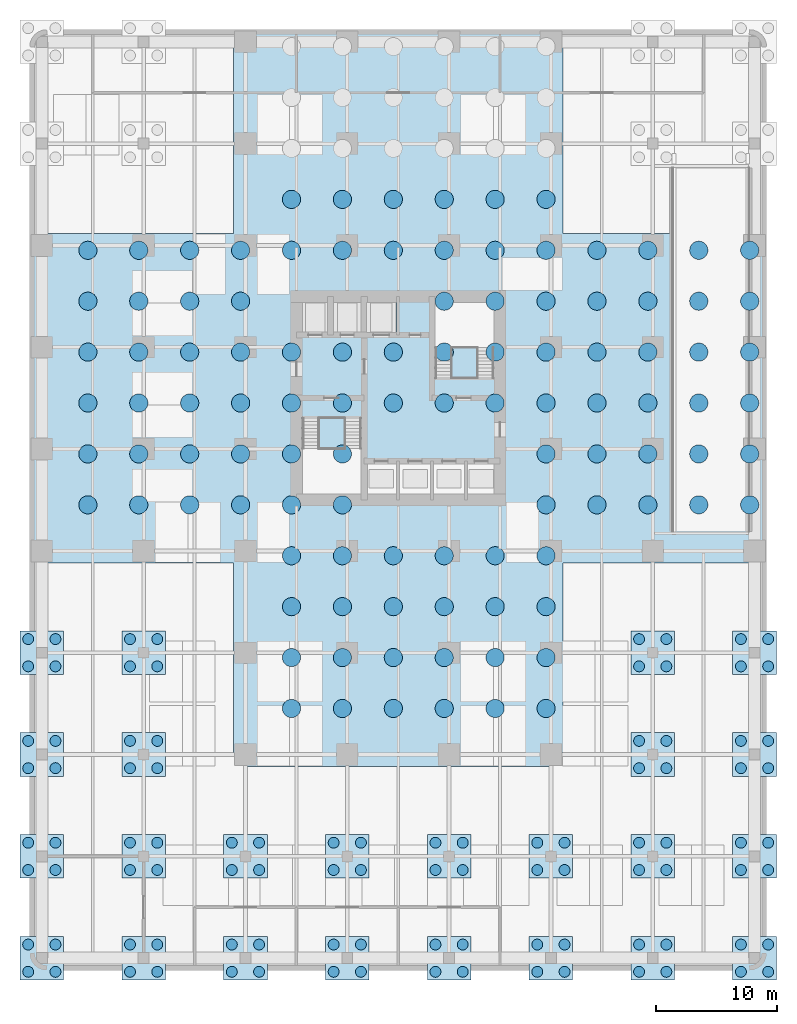
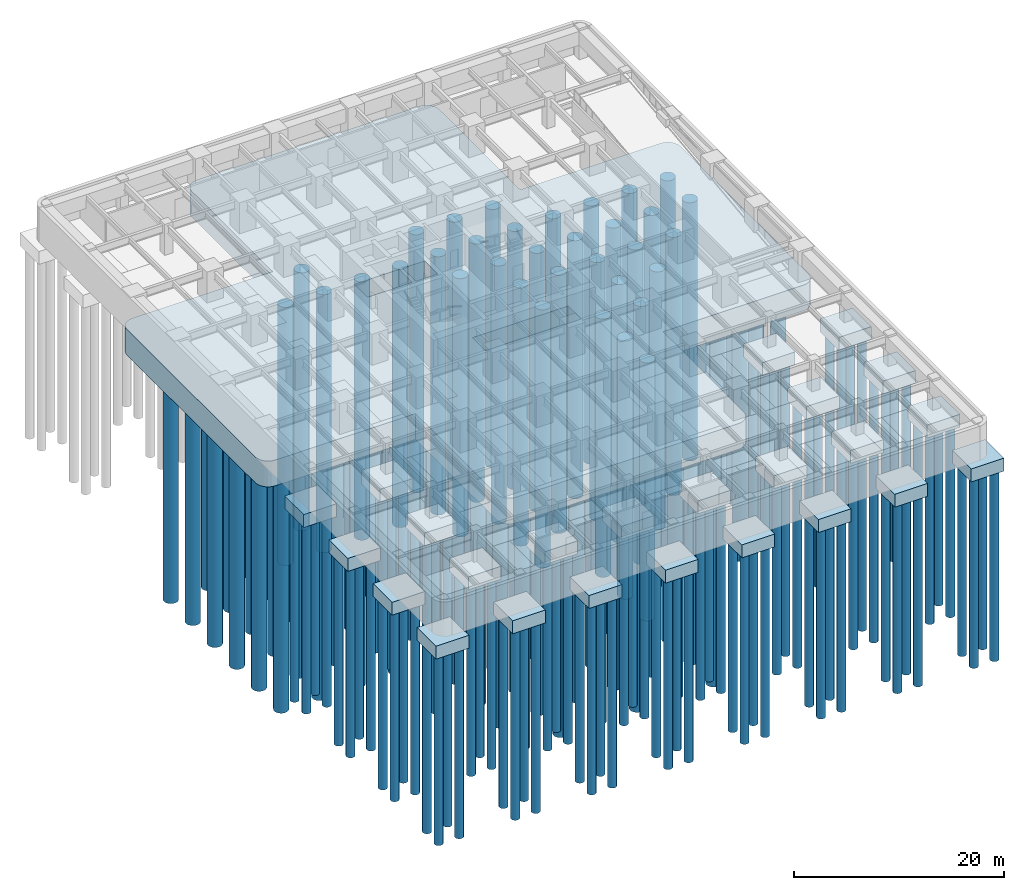
# One storey, part 1 of 11: 201 piles, 25 footings.
"""IFC4 building model written with IfcOpenShell, lengths in metres."""

from ifc_helpers import new_model, si_unit, direction, frame, origin, origin_2d, place, context, subcontext, project, spatial, polyline, rectangle, circle, outline, extrude, material, layer, layer_set, material_profile, profile_set, type_object, element, save


model = new_model("IFC4")

# Units and contexts
model_context = context("Model", 3, precision=1e-05, world=origin(), true_north=direction((0.0, 1.0)))
body_context = subcontext(model_context, "Body", "Model", "MODEL_VIEW")
ifc_project = project(units=[si_unit("LENGTHUNIT", "METRE"), si_unit("AREAUNIT", "SQUARE_METRE"), si_unit("VOLUMEUNIT", "CUBIC_METRE"), si_unit("PLANEANGLEUNIT", "RADIAN"), si_unit("MASSUNIT", "GRAM", prefix="KILO")], contexts=[model_context])

# Site, building, storey
site_placement = place(None, origin())
site = spatial("IfcSite", under=ifc_project, at=site_placement, CompositionType="ELEMENT")
building_placement = place(site_placement, origin())
building = spatial("IfcBuilding", under=site, at=building_placement, Name="Torre Alcanfor", CompositionType="ELEMENT")
storey_placement = place(building_placement, frame((0.0, 0.0, -7.199951171875)))
storey = spatial("IfcBuildingStorey", under=building, at=storey_placement, Name="B2", CompositionType="ELEMENT", Elevation=-7.199951171875)

# Piles
ifc_material_1 = material(Name="Concrete f'c 35 MPa", Category="concrete")
ifc_material_profile_1 = material_profile(ifc_material_1, circle(Radius=0.75, at=origin_2d()), Name="D1500")
ifc_profile_set_1 = profile_set([ifc_material_profile_1], Name="Concrete f'c 35 MPa")
pile_type_1 = type_object("IfcPileType", Name="Bored pile D1500", PredefinedType="BORED", material=ifc_profile_set_1)
for number, where, z_axis, x_axis, name in (
    (1, (20.60009765625, 3.800048828125, -3.400146484375), (0.0, 0.0, -1.0), (1.0, 0.0, 0.0), "Raft pile P1-001"),
    (2, (24.800048828125, 3.800048828125, -3.400146484375), (0.0, 0.0, -1.0), (1.0, 0.0, 0.0), "Raft pile P1-002"),
    (3, (29.0, 3.800048828125, -3.400146484375), (0.0, 0.0, -1.0), (1.0, 0.0, 0.0), "Raft pile P1-003"),
    (4, (33.199951171875, 3.800048828125, -3.400146484375), (0.0, 0.0, -1.0), (1.0, 0.0, 0.0), "Raft pile P1-004"),
    (5, (37.39990234375, 3.800048828125, -3.400146484375), (0.0, 0.0, -1.0), (1.0, 0.0, 0.0), "Raft pile P1-005"),
    (6, (41.60009765625, 3.800048828125, -3.400146484375), (0.0, 0.0, -1.0), (1.0, 0.0, 0.0), "Raft pile P1-006"),
    (7, (20.60009765625, 8.0, -3.400146484375), (0.0, 0.0, -1.0), (1.0, 0.0, 0.0), "Raft pile P1-007"),
    (8, (24.800048828125, 8.0, -3.400146484375), (0.0, 0.0, -1.0), (1.0, 0.0, 0.0), "Raft pile P1-008"),
    (9, (29.0, 8.0, -3.400146484375), (0.0, 0.0, -1.0), (1.0, 0.0, 0.0), "Raft pile P1-009"),
    (10, (33.199951171875, 8.0, -3.400146484375), (0.0, 0.0, -1.0), (1.0, 0.0, 0.0), "Raft pile P1-010"),
    (11, (37.39990234375, 8.0, -3.400146484375), (0.0, 0.0, -1.0), (1.0, 0.0, 0.0), "Raft pile P1-011"),
    (12, (41.60009765625, 8.0, -3.400146484375), (0.0, 0.0, -1.0), (1.0, 0.0, 0.0), "Raft pile P1-012"),
    (13, (20.60009765625, 12.199951171875, -3.400146484375), (0.0, 0.0, -1.0), (1.0, 0.0, 0.0), "Raft pile P1-013"),
    (14, (24.800048828125, 12.199951171875, -3.400146484375), (0.0, 0.0, -1.0), (1.0, 0.0, 0.0), "Raft pile P1-014"),
    (15, (29.0, 12.199951171875, -3.400146484375), (0.0, 0.0, -1.0), (1.0, 0.0, 0.0), "Raft pile P1-015"),
    (16, (33.199951171875, 12.199951171875, -3.400146484375), (0.0, 0.0, -1.0), (1.0, 0.0, 0.0), "Raft pile P1-016"),
    (17, (37.39990234375, 12.199951171875, -3.400146484375), (0.0, 0.0, -1.0), (1.0, 0.0, 0.0), "Raft pile P1-017"),
    (18, (41.60009765625, 12.199951171875, -3.400146484375), (0.0, 0.0, -1.0), (1.0, 0.0, 0.0), "Raft pile P1-018"),
    (19, (20.60009765625, 16.39990234375, -3.400146484375), (0.0, 0.0, -1.0), (1.0, 0.0, 0.0), "Raft pile P1-019"),
    (20, (24.800048828125, 16.39990234375, -3.400146484375), (0.0, 0.0, -1.0), (1.0, 0.0, 0.0), "Raft pile P1-020"),
    (21, (29.0, 16.39990234375, -3.400146484375), (0.0, 0.0, -1.0), (1.0, 0.0, 0.0), "Raft pile P1-021"),
    (22, (33.199951171875, 16.39990234375, -3.400146484375), (0.0, 0.0, -1.0), (1.0, 0.0, 0.0), "Raft pile P1-022"),
    (23, (37.39990234375, 16.39990234375, -3.400146484375), (0.0, 0.0, -1.0), (1.0, 0.0, 0.0), "Raft pile P1-023"),
    (24, (41.60009765625, 16.39990234375, -3.400146484375), (0.0, 0.0, -1.0), (1.0, 0.0, 0.0), "Raft pile P1-024"),
    (25, (3.800048828125, 20.60009765625, -3.400146484375), (0.0, 0.0, -1.0), (1.0, 0.0, 0.0), "Raft pile P1-025"),
    (26, (8.0, 20.60009765625, -3.400146484375), (0.0, 0.0, -1.0), (1.0, 0.0, 0.0), "Raft pile P1-026"),
    (27, (12.199951171875, 20.60009765625, -3.400146484375), (0.0, 0.0, -1.0), (1.0, 0.0, 0.0), "Raft pile P1-027"),
    (28, (16.39990234375, 20.60009765625, -3.400146484375), (0.0, 0.0, -1.0), (1.0, 0.0, 0.0), "Raft pile P1-028"),
    (29, (20.60009765625, 20.60009765625, -3.400146484375), (0.0, 0.0, -1.0), (1.0, 0.0, 0.0), "Raft pile P1-029"),
    (30, (24.800048828125, 20.60009765625, -3.400146484375), (0.0, 0.0, -1.0), (1.0, 0.0, 0.0), "Raft pile P1-030"),
    (31, (41.60009765625, 20.60009765625, -3.400146484375), (0.0, 0.0, -1.0), (1.0, 0.0, 0.0), "Raft pile P1-031"),
    (32, (45.800048828125, 20.60009765625, -3.400146484375), (0.0, 0.0, -1.0), (1.0, 0.0, 0.0), "Raft pile P1-032"),
    (33, (50.0, 20.60009765625, -3.400146484375), (0.0, 0.0, -1.0), (1.0, 0.0, 0.0), "Raft pile P1-033"),
    (34, (54.199951171875, 20.60009765625, -3.400146484375), (0.0, 0.0, -1.0), (1.0, 0.0, 0.0), "Raft pile P1-034"),
    (35, (58.39990234375, 20.60009765625, -3.400146484375), (0.0, 0.0, -1.0), (1.0, 0.0, 0.0), "Raft pile P1-035"),
    (36, (3.800048828125, 24.800048828125, -3.400146484375), (0.0, 0.0, -1.0), (1.0, 0.0, 0.0), "Raft pile P1-036"),
    (37, (8.0, 24.800048828125, -3.400146484375), (0.0, 0.0, -1.0), (1.0, 0.0, 0.0), "Raft pile P1-037"),
    (38, (12.199951171875, 24.800048828125, -3.400146484375), (0.0, 0.0, -1.0), (1.0, 0.0, 0.0), "Raft pile P1-038"),
    (39, (16.39990234375, 24.800048828125, -3.400146484375), (0.0, 0.0, -1.0), (1.0, 0.0, 0.0), "Raft pile P1-039"),
    (40, (20.60009765625, 24.800048828125, -3.400146484375), (0.0, 0.0, -1.0), (1.0, 0.0, 0.0), "Raft pile P1-040"),
    (41, (24.800048828125, 24.800048828125, -3.400146484375), (0.0, 0.0, -1.0), (1.0, 0.0, 0.0), "Raft pile P1-041"),
    (42, (41.60009765625, 24.800048828125, -3.400146484375), (0.0, 0.0, -1.0), (1.0, 0.0, 0.0), "Raft pile P1-042"),
    (43, (45.800048828125, 24.800048828125, -3.400146484375), (0.0, 0.0, -1.0), (1.0, 0.0, 0.0), "Raft pile P1-043"),
    (44, (50.0, 24.800048828125, -3.400146484375), (0.0, 0.0, -1.0), (1.0, 0.0, 0.0), "Raft pile P1-044"),
    (45, (54.199951171875, 24.800048828125, -3.400146484375), (0.0, 0.0, -1.0), (1.0, 0.0, 0.0), "Raft pile P1-045"),
    (46, (58.39990234375, 24.800048828125, -3.400146484375), (0.0, 0.0, -1.0), (1.0, 0.0, 0.0), "Raft pile P1-046"),
    (47, (3.800048828125, 29.0, -3.400146484375), (0.0, 0.0, -1.0), (1.0, 0.0, 0.0), "Raft pile P1-047"),
    (48, (8.0, 29.0, -3.400146484375), (0.0, 0.0, -1.0), (1.0, 0.0, 0.0), "Raft pile P1-048"),
    (49, (12.199951171875, 29.0, -3.400146484375), (0.0, 0.0, -1.0), (1.0, 0.0, 0.0), "Raft pile P1-049"),
    (50, (16.39990234375, 29.0, -3.400146484375), (0.0, 0.0, -1.0), (1.0, 0.0, 0.0), "Raft pile P1-050"),
    (51, (20.60009765625, 29.0, -3.400146484375), (0.0, 0.0, -1.0), (1.0, 0.0, 0.0), "Raft pile P1-051"),
    (52, (24.800048828125, 29.0, -3.400146484375), (0.0, 0.0, -1.0), (1.0, 0.0, 0.0), "Raft pile P1-052"),
    (53, (29.0, 29.0, -3.400146484375), (0.0, 0.0, -1.0), (1.0, 0.0, 0.0), "Raft pile P1-053"),
    (54, (33.199951171875, 29.0, -3.400146484375), (0.0, 0.0, -1.0), (1.0, 0.0, 0.0), "Raft pile P1-054"),
    (55, (37.39990234375, 29.0, -3.400146484375), (0.0, 0.0, -1.0), (1.0, 0.0, 0.0), "Raft pile P1-055"),
    (56, (41.60009765625, 29.0, -3.400146484375), (0.0, 0.0, -1.0), (1.0, 0.0, 0.0), "Raft pile P1-056"),
    (57, (45.800048828125, 29.0, -3.400146484375), (0.0, 0.0, -1.0), (1.0, 0.0, 0.0), "Raft pile P1-057"),
    (58, (50.0, 29.0, -3.400146484375), (0.0, 0.0, -1.0), (1.0, 0.0, 0.0), "Raft pile P1-058"),
    (59, (54.199951171875, 29.0, -3.400146484375), (0.0, 0.0, -1.0), (1.0, 0.0, 0.0), "Raft pile P1-059"),
    (60, (58.39990234375, 29.0, -3.400146484375), (0.0, 0.0, -1.0), (1.0, 0.0, 0.0), "Raft pile P1-060"),
    (61, (3.800048828125, 33.199951171875, -3.400146484375), (0.0, 0.0, -1.0), (1.0, 0.0, 0.0), "Raft pile P1-061"),
    (62, (8.0, 33.199951171875, -3.400146484375), (0.0, 0.0, -1.0), (1.0, 0.0, 0.0), "Raft pile P1-062"),
    (63, (12.199951171875, 33.199951171875, -3.400146484375), (0.0, 0.0, -1.0), (1.0, 0.0, 0.0), "Raft pile P1-063"),
    (64, (16.39990234375, 33.199951171875, -3.400146484375), (0.0, 0.0, -1.0), (1.0, 0.0, 0.0), "Raft pile P1-064"),
    (65, (20.60009765625, 33.199951171875, -3.400146484375), (0.0, 0.0, -1.0), (1.0, 0.0, 0.0), "Raft pile P1-065"),
    (66, (24.800048828125, 33.199951171875, -3.400146484375), (0.0, 0.0, -1.0), (1.0, 0.0, 0.0), "Raft pile P1-066"),
    (67, (29.0, 33.199951171875, -3.400146484375), (0.0, 0.0, -1.0), (1.0, 0.0, 0.0), "Raft pile P1-067"),
    (68, (33.199951171875, 33.199951171875, -3.400146484375), (0.0, 0.0, -1.0), (1.0, 0.0, 0.0), "Raft pile P1-068"),
    (69, (37.39990234375, 33.199951171875, -3.400146484375), (0.0, 0.0, -1.0), (1.0, 0.0, 0.0), "Raft pile P1-069"),
    (70, (41.60009765625, 33.199951171875, -3.400146484375), (0.0, 0.0, -1.0), (1.0, 0.0, 0.0), "Raft pile P1-070"),
    (71, (45.800048828125, 33.199951171875, -3.400146484375), (0.0, 0.0, -1.0), (1.0, 0.0, 0.0), "Raft pile P1-071"),
    (72, (50.0, 33.199951171875, -3.400146484375), (0.0, 0.0, -1.0), (1.0, 0.0, 0.0), "Raft pile P1-072"),
    (73, (54.199951171875, 33.199951171875, -3.400146484375), (0.0, 0.0, -1.0), (1.0, 0.0, 0.0), "Raft pile P1-073"),
    (74, (58.39990234375, 33.199951171875, -3.400146484375), (0.0, 0.0, -1.0), (1.0, 0.0, 0.0), "Raft pile P1-074"),
    (75, (3.800048828125, 37.39990234375, -3.400146484375), (0.0, 0.0, -1.0), (1.0, 0.0, 0.0), "Raft pile P1-075"),
    (76, (8.0, 37.39990234375, -3.400146484375), (0.0, 0.0, -1.0), (1.0, 0.0, 0.0), "Raft pile P1-076"),
    (77, (12.199951171875, 37.39990234375, -3.400146484375), (0.0, 0.0, -1.0), (1.0, 0.0, 0.0), "Raft pile P1-077"),
    (78, (16.39990234375, 37.39990234375, -3.400146484375), (0.0, 0.0, -1.0), (1.0, 0.0, 0.0), "Raft pile P1-078"),
    (79, (33.199951171875, 37.39990234375, -3.400146484375), (0.0, 0.0, -1.0), (1.0, 0.0, 0.0), "Raft pile P1-079"),
    (80, (37.39990234375, 37.39990234375, -3.400146484375), (0.0, 0.0, -1.0), (1.0, 0.0, 0.0), "Raft pile P1-080"),
    (81, (41.60009765625, 37.39990234375, -3.400146484375), (0.0, 0.0, -1.0), (1.0, 0.0, 0.0), "Raft pile P1-081"),
    (82, (45.800048828125, 37.39990234375, -3.400146484375), (0.0, 0.0, -1.0), (1.0, 0.0, 0.0), "Raft pile P1-082"),
    (83, (50.0, 37.39990234375, -3.400146484375), (0.0, 0.0, -1.0), (1.0, 0.0, 0.0), "Raft pile P1-083"),
    (84, (54.199951171875, 37.39990234375, -3.400146484375), (0.0, 0.0, -1.0), (1.0, 0.0, 0.0), "Raft pile P1-084"),
    (85, (58.39990234375, 37.39990234375, -3.400146484375), (0.0, 0.0, -1.0), (1.0, 0.0, 0.0), "Raft pile P1-085"),
    (86, (3.800048828125, 41.60009765625, -3.400146484375), (0.0, 0.0, -1.0), (1.0, 0.0, 0.0), "Raft pile P1-086"),
    (87, (8.0, 41.60009765625, -3.400146484375), (0.0, 0.0, -1.0), (1.0, 0.0, 0.0), "Raft pile P1-087"),
    (88, (12.199951171875, 41.60009765625, -3.400146484375), (0.0, 0.0, -1.0), (1.0, 0.0, 0.0), "Raft pile P1-088"),
    (89, (16.39990234375, 41.60009765625, -3.400146484375), (0.0, 0.0, -1.0), (1.0, 0.0, 0.0), "Raft pile P1-089"),
    (90, (20.60009765625, 41.60009765625, -3.400146484375), (0.0, 0.0, -1.0), (1.0, 0.0, 0.0), "Raft pile P1-090"),
    (91, (24.800048828125, 41.60009765625, -3.400146484375), (0.0, 0.0, -1.0), (1.0, 0.0, 0.0), "Raft pile P1-091"),
    (92, (29.0, 41.60009765625, -3.400146484375), (0.0, 0.0, -1.0), (1.0, 0.0, 0.0), "Raft pile P1-092"),
    (93, (33.199951171875, 41.60009765625, -3.400146484375), (0.0, 0.0, -1.0), (1.0, 0.0, 0.0), "Raft pile P1-093"),
    (94, (37.39990234375, 41.60009765625, -3.400146484375), (0.0, 0.0, -1.0), (1.0, 0.0, 0.0), "Raft pile P1-094"),
    (95, (41.60009765625, 41.60009765625, -3.400146484375), (0.0, 0.0, -1.0), (1.0, 0.0, 0.0), "Raft pile P1-095"),
    (96, (45.800048828125, 41.60009765625, -3.400146484375), (0.0, 0.0, -1.0), (1.0, 0.0, 0.0), "Raft pile P1-096"),
    (97, (50.0, 41.60009765625, -3.400146484375), (0.0, 0.0, -1.0), (1.0, 0.0, 0.0), "Raft pile P1-097"),
    (98, (54.199951171875, 41.60009765625, -3.400146484375), (0.0, 0.0, -1.0), (1.0, 0.0, 0.0), "Raft pile P1-098"),
    (99, (58.39990234375, 41.60009765625, -3.400146484375), (0.0, 0.0, -1.0), (1.0, 0.0, 0.0), "Raft pile P1-099"),
    (100, (20.60009765625, 45.800048828125, -3.400146484375), (0.0, 0.0, -1.0), (1.0, 0.0, 0.0), "Raft pile P1-100"),
    (101, (24.800048828125, 45.800048828125, -3.400146484375), (0.0, 0.0, -1.0), (1.0, 0.0, 0.0), "Raft pile P1-101"),
    (102, (29.0, 45.800048828125, -3.400146484375), (0.0, 0.0, -1.0), (1.0, 0.0, 0.0), "Raft pile P1-102"),
    (103, (33.199951171875, 45.800048828125, -3.400146484375), (0.0, 0.0, -1.0), (1.0, 0.0, 0.0), "Raft pile P1-103"),
    (104, (37.39990234375, 45.800048828125, -3.400146484375), (0.0, 0.0, -1.0), (1.0, 0.0, 0.0), "Raft pile P1-104"),
    (105, (41.60009765625, 45.800048828125, -3.400146484375), (0.0, 0.0, -1.0), (1.0, 0.0, 0.0), "Raft pile P1-105"),
):
    element("IfcPile", number, at=place(storey_placement, frame(where, z_axis=z_axis, x_axis=x_axis)), inside=storey, type_object=pile_type_1, Name=name, PredefinedType="BORED", context=body_context, shape_type="SweptSolid", body=[
        extrude(circle(Radius=0.75, at=origin_2d()), origin(), (0.0, 0.0, 1.0), 30.0),
    ])
ifc_material_2 = material(Name="Concrete f'c 35 MPa", Category="concrete")
ifc_material_profile_2 = material_profile(ifc_material_2, circle(Radius=0.449951171875, at=origin_2d()), Name="D900")
ifc_profile_set_2 = profile_set([ifc_material_profile_2], Name="Concrete f'c 35 MPa")
pile_type_2 = type_object("IfcPileType", Name="Bored pile D900", PredefinedType="BORED", material=ifc_profile_set_2)
for number, where, z_axis, x_axis, name in (
    (106, (-1.125, -17.925048828125, -1.900146484375), (0.0, 0.0, -1.0), (1.0, 0.0, 0.0), "Pile P2 under cap 1/A"),
    (107, (1.125, -17.925048828125, -1.900146484375), (0.0, 0.0, -1.0), (1.0, 0.0, 0.0), "Pile P2 under cap 1/A"),
    (108, (1.125, -15.675048828125, -1.900146484375), (0.0, 0.0, -1.0), (1.0, 0.0, 0.0), "Pile P2 under cap 1/A"),
    (109, (-1.125, -15.675048828125, -1.900146484375), (0.0, 0.0, -1.0), (1.0, 0.0, 0.0), "Pile P2 under cap 1/A"),
    (110, (-1.125, -9.52490234375, -1.900146484375), (0.0, 0.0, -1.0), (1.0, 0.0, 0.0), "Pile P2 under cap 1/B"),
    (111, (1.125, -9.52490234375, -1.900146484375), (0.0, 0.0, -1.0), (1.0, 0.0, 0.0), "Pile P2 under cap 1/B"),
    (112, (1.125, -7.27490234375, -1.900146484375), (0.0, 0.0, -1.0), (1.0, 0.0, 0.0), "Pile P2 under cap 1/B"),
    (113, (-1.125, -7.27490234375, -1.900146484375), (0.0, 0.0, -1.0), (1.0, 0.0, 0.0), "Pile P2 under cap 1/B"),
    (114, (-1.125, -1.125, -1.900146484375), (0.0, 0.0, -1.0), (1.0, 0.0, 0.0), "Pile P2 under cap 1/C"),
    (115, (1.125, -1.125, -1.900146484375), (0.0, 0.0, -1.0), (1.0, 0.0, 0.0), "Pile P2 under cap 1/C"),
    (116, (1.125, 1.125, -1.900146484375), (0.0, 0.0, -1.0), (1.0, 0.0, 0.0), "Pile P2 under cap 1/C"),
    (117, (-1.125, 1.125, -1.900146484375), (0.0, 0.0, -1.0), (1.0, 0.0, 0.0), "Pile P2 under cap 1/C"),
    (118, (-1.125, 7.27490234375, -1.900146484375), (0.0, 0.0, -1.0), (1.0, 0.0, 0.0), "Pile P2 under cap 1/D"),
    (119, (1.125, 7.27490234375, -1.900146484375), (0.0, 0.0, -1.0), (1.0, 0.0, 0.0), "Pile P2 under cap 1/D"),
    (120, (1.125, 9.52490234375, -1.900146484375), (0.0, 0.0, -1.0), (1.0, 0.0, 0.0), "Pile P2 under cap 1/D"),
    (121, (-1.125, 9.52490234375, -1.900146484375), (0.0, 0.0, -1.0), (1.0, 0.0, 0.0), "Pile P2 under cap 1/D"),
    (122, (7.27490234375, -17.925048828125, -1.900146484375), (0.0, 0.0, -1.0), (1.0, 0.0, 0.0), "Pile P2 under cap 2/A"),
    (123, (9.52490234375, -17.925048828125, -1.900146484375), (0.0, 0.0, -1.0), (1.0, 0.0, 0.0), "Pile P2 under cap 2/A"),
    (124, (9.52490234375, -15.675048828125, -1.900146484375), (0.0, 0.0, -1.0), (1.0, 0.0, 0.0), "Pile P2 under cap 2/A"),
    (125, (7.27490234375, -15.675048828125, -1.900146484375), (0.0, 0.0, -1.0), (1.0, 0.0, 0.0), "Pile P2 under cap 2/A"),
    (126, (7.27490234375, -9.52490234375, -1.900146484375), (0.0, 0.0, -1.0), (1.0, 0.0, 0.0), "Pile P2 under cap 2/B"),
    (127, (9.52490234375, -9.52490234375, -1.900146484375), (0.0, 0.0, -1.0), (1.0, 0.0, 0.0), "Pile P2 under cap 2/B"),
    (128, (9.52490234375, -7.27490234375, -1.900146484375), (0.0, 0.0, -1.0), (1.0, 0.0, 0.0), "Pile P2 under cap 2/B"),
    (129, (7.27490234375, -7.27490234375, -1.900146484375), (0.0, 0.0, -1.0), (1.0, 0.0, 0.0), "Pile P2 under cap 2/B"),
    (130, (7.27490234375, -1.125, -1.900146484375), (0.0, 0.0, -1.0), (1.0, 0.0, 0.0), "Pile P2 under cap 2/C"),
    (131, (9.52490234375, -1.125, -1.900146484375), (0.0, 0.0, -1.0), (1.0, 0.0, 0.0), "Pile P2 under cap 2/C"),
    (132, (9.52490234375, 1.125, -1.900146484375), (0.0, 0.0, -1.0), (1.0, 0.0, 0.0), "Pile P2 under cap 2/C"),
    (133, (7.27490234375, 1.125, -1.900146484375), (0.0, 0.0, -1.0), (1.0, 0.0, 0.0), "Pile P2 under cap 2/C"),
    (134, (7.27490234375, 7.27490234375, -1.900146484375), (0.0, 0.0, -1.0), (1.0, 0.0, 0.0), "Pile P2 under cap 2/D"),
    (135, (9.52490234375, 7.27490234375, -1.900146484375), (0.0, 0.0, -1.0), (1.0, 0.0, 0.0), "Pile P2 under cap 2/D"),
    (136, (9.52490234375, 9.52490234375, -1.900146484375), (0.0, 0.0, -1.0), (1.0, 0.0, 0.0), "Pile P2 under cap 2/D"),
    (137, (7.27490234375, 9.52490234375, -1.900146484375), (0.0, 0.0, -1.0), (1.0, 0.0, 0.0), "Pile P2 under cap 2/D"),
    (138, (15.675048828125, -17.925048828125, -1.900146484375), (0.0, 0.0, -1.0), (1.0, 0.0, 0.0), "Pile P2 under cap 3/A"),
    (139, (17.925048828125, -17.925048828125, -1.900146484375), (0.0, 0.0, -1.0), (1.0, 0.0, 0.0), "Pile P2 under cap 3/A"),
    (140, (17.925048828125, -15.675048828125, -1.900146484375), (0.0, 0.0, -1.0), (1.0, 0.0, 0.0), "Pile P2 under cap 3/A"),
    (141, (15.675048828125, -15.675048828125, -1.900146484375), (0.0, 0.0, -1.0), (1.0, 0.0, 0.0), "Pile P2 under cap 3/A"),
    (142, (15.675048828125, -9.52490234375, -1.900146484375), (0.0, 0.0, -1.0), (1.0, 0.0, 0.0), "Pile P2 under cap 3/B"),
    (143, (17.925048828125, -9.52490234375, -1.900146484375), (0.0, 0.0, -1.0), (1.0, 0.0, 0.0), "Pile P2 under cap 3/B"),
    (144, (17.925048828125, -7.27490234375, -1.900146484375), (0.0, 0.0, -1.0), (1.0, 0.0, 0.0), "Pile P2 under cap 3/B"),
    (145, (15.675048828125, -7.27490234375, -1.900146484375), (0.0, 0.0, -1.0), (1.0, 0.0, 0.0), "Pile P2 under cap 3/B"),
    (146, (24.074951171875, -17.925048828125, -1.900146484375), (0.0, 0.0, -1.0), (1.0, 0.0, 0.0), "Pile P2 under cap 4/A"),
    (147, (26.324951171875, -17.925048828125, -1.900146484375), (0.0, 0.0, -1.0), (1.0, 0.0, 0.0), "Pile P2 under cap 4/A"),
    (148, (26.324951171875, -15.675048828125, -1.900146484375), (0.0, 0.0, -1.0), (1.0, 0.0, 0.0), "Pile P2 under cap 4/A"),
    (149, (24.074951171875, -15.675048828125, -1.900146484375), (0.0, 0.0, -1.0), (1.0, 0.0, 0.0), "Pile P2 under cap 4/A"),
    (150, (24.074951171875, -9.52490234375, -1.900146484375), (0.0, 0.0, -1.0), (1.0, 0.0, 0.0), "Pile P2 under cap 4/B"),
    (151, (26.324951171875, -9.52490234375, -1.900146484375), (0.0, 0.0, -1.0), (1.0, 0.0, 0.0), "Pile P2 under cap 4/B"),
    (152, (26.324951171875, -7.27490234375, -1.900146484375), (0.0, 0.0, -1.0), (1.0, 0.0, 0.0), "Pile P2 under cap 4/B"),
    (153, (24.074951171875, -7.27490234375, -1.900146484375), (0.0, 0.0, -1.0), (1.0, 0.0, 0.0), "Pile P2 under cap 4/B"),
    (154, (32.47509765625, -17.925048828125, -1.900146484375), (0.0, 0.0, -1.0), (1.0, 0.0, 0.0), "Pile P2 under cap 5/A"),
    (155, (34.72509765625, -17.925048828125, -1.900146484375), (0.0, 0.0, -1.0), (1.0, 0.0, 0.0), "Pile P2 under cap 5/A"),
    (156, (34.72509765625, -15.675048828125, -1.900146484375), (0.0, 0.0, -1.0), (1.0, 0.0, 0.0), "Pile P2 under cap 5/A"),
    (157, (32.47509765625, -15.675048828125, -1.900146484375), (0.0, 0.0, -1.0), (1.0, 0.0, 0.0), "Pile P2 under cap 5/A"),
    (158, (32.47509765625, -9.52490234375, -1.900146484375), (0.0, 0.0, -1.0), (1.0, 0.0, 0.0), "Pile P2 under cap 5/B"),
    (159, (34.72509765625, -9.52490234375, -1.900146484375), (0.0, 0.0, -1.0), (1.0, 0.0, 0.0), "Pile P2 under cap 5/B"),
    (160, (34.72509765625, -7.27490234375, -1.900146484375), (0.0, 0.0, -1.0), (1.0, 0.0, 0.0), "Pile P2 under cap 5/B"),
    (161, (32.47509765625, -7.27490234375, -1.900146484375), (0.0, 0.0, -1.0), (1.0, 0.0, 0.0), "Pile P2 under cap 5/B"),
    (162, (40.875, -17.925048828125, -1.900146484375), (0.0, 0.0, -1.0), (1.0, 0.0, 0.0), "Pile P2 under cap 6/A"),
    (163, (43.125, -17.925048828125, -1.900146484375), (0.0, 0.0, -1.0), (1.0, 0.0, 0.0), "Pile P2 under cap 6/A"),
    (164, (43.125, -15.675048828125, -1.900146484375), (0.0, 0.0, -1.0), (1.0, 0.0, 0.0), "Pile P2 under cap 6/A"),
    (165, (40.875, -15.675048828125, -1.900146484375), (0.0, 0.0, -1.0), (1.0, 0.0, 0.0), "Pile P2 under cap 6/A"),
    (166, (40.875, -9.52490234375, -1.900146484375), (0.0, 0.0, -1.0), (1.0, 0.0, 0.0), "Pile P2 under cap 6/B"),
    (167, (43.125, -9.52490234375, -1.900146484375), (0.0, 0.0, -1.0), (1.0, 0.0, 0.0), "Pile P2 under cap 6/B"),
    (168, (43.125, -7.27490234375, -1.900146484375), (0.0, 0.0, -1.0), (1.0, 0.0, 0.0), "Pile P2 under cap 6/B"),
    (169, (40.875, -7.27490234375, -1.900146484375), (0.0, 0.0, -1.0), (1.0, 0.0, 0.0), "Pile P2 under cap 6/B"),
    (170, (49.27490234375, -17.925048828125, -1.900146484375), (0.0, 0.0, -1.0), (1.0, 0.0, 0.0), "Pile P2 under cap 7/A"),
    (171, (51.52490234375, -17.925048828125, -1.900146484375), (0.0, 0.0, -1.0), (1.0, 0.0, 0.0), "Pile P2 under cap 7/A"),
    (172, (51.52490234375, -15.675048828125, -1.900146484375), (0.0, 0.0, -1.0), (1.0, 0.0, 0.0), "Pile P2 under cap 7/A"),
    (173, (49.27490234375, -15.675048828125, -1.900146484375), (0.0, 0.0, -1.0), (1.0, 0.0, 0.0), "Pile P2 under cap 7/A"),
    (174, (49.27490234375, -9.52490234375, -1.900146484375), (0.0, 0.0, -1.0), (1.0, 0.0, 0.0), "Pile P2 under cap 7/B"),
    (175, (51.52490234375, -9.52490234375, -1.900146484375), (0.0, 0.0, -1.0), (1.0, 0.0, 0.0), "Pile P2 under cap 7/B"),
    (176, (51.52490234375, -7.27490234375, -1.900146484375), (0.0, 0.0, -1.0), (1.0, 0.0, 0.0), "Pile P2 under cap 7/B"),
    (177, (49.27490234375, -7.27490234375, -1.900146484375), (0.0, 0.0, -1.0), (1.0, 0.0, 0.0), "Pile P2 under cap 7/B"),
    (178, (49.27490234375, -1.125, -1.900146484375), (0.0, 0.0, -1.0), (1.0, 0.0, 0.0), "Pile P2 under cap 7/C"),
    (179, (51.52490234375, -1.125, -1.900146484375), (0.0, 0.0, -1.0), (1.0, 0.0, 0.0), "Pile P2 under cap 7/C"),
    (180, (51.52490234375, 1.125, -1.900146484375), (0.0, 0.0, -1.0), (1.0, 0.0, 0.0), "Pile P2 under cap 7/C"),
    (181, (49.27490234375, 1.125, -1.900146484375), (0.0, 0.0, -1.0), (1.0, 0.0, 0.0), "Pile P2 under cap 7/C"),
    (182, (49.27490234375, 7.27490234375, -1.900146484375), (0.0, 0.0, -1.0), (1.0, 0.0, 0.0), "Pile P2 under cap 7/D"),
    (183, (51.52490234375, 7.27490234375, -1.900146484375), (0.0, 0.0, -1.0), (1.0, 0.0, 0.0), "Pile P2 under cap 7/D"),
    (184, (51.52490234375, 9.52490234375, -1.900146484375), (0.0, 0.0, -1.0), (1.0, 0.0, 0.0), "Pile P2 under cap 7/D"),
    (185, (49.27490234375, 9.52490234375, -1.900146484375), (0.0, 0.0, -1.0), (1.0, 0.0, 0.0), "Pile P2 under cap 7/D"),
    (186, (57.675048828125, -17.925048828125, -1.900146484375), (0.0, 0.0, -1.0), (1.0, 0.0, 0.0), "Pile P2 under cap 8/A"),
    (187, (59.925048828125, -17.925048828125, -1.900146484375), (0.0, 0.0, -1.0), (1.0, 0.0, 0.0), "Pile P2 under cap 8/A"),
    (188, (59.925048828125, -15.675048828125, -1.900146484375), (0.0, 0.0, -1.0), (1.0, 0.0, 0.0), "Pile P2 under cap 8/A"),
    (189, (57.675048828125, -15.675048828125, -1.900146484375), (0.0, 0.0, -1.0), (1.0, 0.0, 0.0), "Pile P2 under cap 8/A"),
    (190, (57.675048828125, -9.52490234375, -1.900146484375), (0.0, 0.0, -1.0), (1.0, 0.0, 0.0), "Pile P2 under cap 8/B"),
    (191, (59.925048828125, -9.52490234375, -1.900146484375), (0.0, 0.0, -1.0), (1.0, 0.0, 0.0), "Pile P2 under cap 8/B"),
    (192, (59.925048828125, -7.27490234375, -1.900146484375), (0.0, 0.0, -1.0), (1.0, 0.0, 0.0), "Pile P2 under cap 8/B"),
    (193, (57.675048828125, -7.27490234375, -1.900146484375), (0.0, 0.0, -1.0), (1.0, 0.0, 0.0), "Pile P2 under cap 8/B"),
    (194, (57.675048828125, -1.125, -1.900146484375), (0.0, 0.0, -1.0), (1.0, 0.0, 0.0), "Pile P2 under cap 8/C"),
    (195, (59.925048828125, -1.125, -1.900146484375), (0.0, 0.0, -1.0), (1.0, 0.0, 0.0), "Pile P2 under cap 8/C"),
    (196, (59.925048828125, 1.125, -1.900146484375), (0.0, 0.0, -1.0), (1.0, 0.0, 0.0), "Pile P2 under cap 8/C"),
    (197, (57.675048828125, 1.125, -1.900146484375), (0.0, 0.0, -1.0), (1.0, 0.0, 0.0), "Pile P2 under cap 8/C"),
    (198, (57.675048828125, 7.27490234375, -1.900146484375), (0.0, 0.0, -1.0), (1.0, 0.0, 0.0), "Pile P2 under cap 8/D"),
    (199, (59.925048828125, 7.27490234375, -1.900146484375), (0.0, 0.0, -1.0), (1.0, 0.0, 0.0), "Pile P2 under cap 8/D"),
    (200, (59.925048828125, 9.52490234375, -1.900146484375), (0.0, 0.0, -1.0), (1.0, 0.0, 0.0), "Pile P2 under cap 8/D"),
    (201, (57.675048828125, 9.52490234375, -1.900146484375), (0.0, 0.0, -1.0), (1.0, 0.0, 0.0), "Pile P2 under cap 8/D"),
):
    element("IfcPile", number, at=place(storey_placement, frame(where, z_axis=z_axis, x_axis=x_axis)), inside=storey, type_object=pile_type_2, Name=name, PredefinedType="BORED", context=body_context, shape_type="SweptSolid", body=[
        extrude(circle(Radius=0.449951171875, at=origin_2d()), origin(), (0.0, 0.0, 1.0), 22.0),
    ])

# Footings
ifc_material_3 = material(Name="Concrete f'c 40 MPa", Category="concrete")
ifc_layer_1 = layer(ifc_material_3, 1.5)
ifc_layer_set_1 = layer_set([ifc_layer_1], Name="Pile cap 3600x3600x1500")
footing_type_1 = type_object("IfcFootingType", Name="Pile cap 3600x3600x1500", PredefinedType="PILE_CAP", material=ifc_layer_set_1)
for number, where, z_axis, x_axis, name in (
    (202, (0.0, -16.800048828125, -1.900146484375), (0.0, 0.0, 1.0), (1.0, 0.0, 0.0), "Pile cap PC1 at 1/A"),
    (203, (0.0, -8.39990234375, -1.900146484375), (0.0, 0.0, 1.0), (1.0, 0.0, 0.0), "Pile cap PC1 at 1/B"),
    (204, (0.0, 0.0, -1.900146484375), (0.0, 0.0, 1.0), (1.0, 0.0, 0.0), "Pile cap PC1 at 1/C"),
    (205, (0.0, 8.39990234375, -1.900146484375), (0.0, 0.0, 1.0), (1.0, 0.0, 0.0), "Pile cap PC1 at 1/D"),
    (206, (8.39990234375, -16.800048828125, -1.900146484375), (0.0, 0.0, 1.0), (1.0, 0.0, 0.0), "Pile cap PC1 at 2/A"),
    (207, (8.39990234375, -8.39990234375, -1.900146484375), (0.0, 0.0, 1.0), (1.0, 0.0, 0.0), "Pile cap PC1 at 2/B"),
    (208, (8.39990234375, 0.0, -1.900146484375), (0.0, 0.0, 1.0), (1.0, 0.0, 0.0), "Pile cap PC1 at 2/C"),
    (209, (8.39990234375, 8.39990234375, -1.900146484375), (0.0, 0.0, 1.0), (1.0, 0.0, 0.0), "Pile cap PC1 at 2/D"),
    (210, (16.800048828125, -16.800048828125, -1.900146484375), (0.0, 0.0, 1.0), (1.0, 0.0, 0.0), "Pile cap PC1 at 3/A"),
    (211, (16.800048828125, -8.39990234375, -1.900146484375), (0.0, 0.0, 1.0), (1.0, 0.0, 0.0), "Pile cap PC1 at 3/B"),
    (212, (25.199951171875, -16.800048828125, -1.900146484375), (0.0, 0.0, 1.0), (1.0, 0.0, 0.0), "Pile cap PC1 at 4/A"),
    (213, (25.199951171875, -8.39990234375, -1.900146484375), (0.0, 0.0, 1.0), (1.0, 0.0, 0.0), "Pile cap PC1 at 4/B"),
    (214, (33.60009765625, -16.800048828125, -1.900146484375), (0.0, 0.0, 1.0), (1.0, 0.0, 0.0), "Pile cap PC1 at 5/A"),
    (215, (33.60009765625, -8.39990234375, -1.900146484375), (0.0, 0.0, 1.0), (1.0, 0.0, 0.0), "Pile cap PC1 at 5/B"),
    (216, (42.0, -16.800048828125, -1.900146484375), (0.0, 0.0, 1.0), (1.0, 0.0, 0.0), "Pile cap PC1 at 6/A"),
    (217, (42.0, -8.39990234375, -1.900146484375), (0.0, 0.0, 1.0), (1.0, 0.0, 0.0), "Pile cap PC1 at 6/B"),
    (218, (50.39990234375, -16.800048828125, -1.900146484375), (0.0, 0.0, 1.0), (1.0, 0.0, 0.0), "Pile cap PC1 at 7/A"),
    (219, (50.39990234375, -8.39990234375, -1.900146484375), (0.0, 0.0, 1.0), (1.0, 0.0, 0.0), "Pile cap PC1 at 7/B"),
    (220, (50.39990234375, 0.0, -1.900146484375), (0.0, 0.0, 1.0), (1.0, 0.0, 0.0), "Pile cap PC1 at 7/C"),
    (221, (50.39990234375, 8.39990234375, -1.900146484375), (0.0, 0.0, 1.0), (1.0, 0.0, 0.0), "Pile cap PC1 at 7/D"),
    (222, (58.800048828125, -16.800048828125, -1.900146484375), (0.0, 0.0, 1.0), (1.0, 0.0, 0.0), "Pile cap PC1 at 8/A"),
    (223, (58.800048828125, -8.39990234375, -1.900146484375), (0.0, 0.0, 1.0), (1.0, 0.0, 0.0), "Pile cap PC1 at 8/B"),
    (224, (58.800048828125, 0.0, -1.900146484375), (0.0, 0.0, 1.0), (1.0, 0.0, 0.0), "Pile cap PC1 at 8/C"),
    (225, (58.800048828125, 8.39990234375, -1.900146484375), (0.0, 0.0, 1.0), (1.0, 0.0, 0.0), "Pile cap PC1 at 8/D"),
):
    element("IfcFooting", number, at=place(storey_placement, frame(where, z_axis=z_axis, x_axis=x_axis)), inside=storey, type_object=footing_type_1, Name=name, PredefinedType="PILE_CAP", context=body_context, shape_type="SweptSolid", body=[
        extrude(rectangle(XDim=3.60009765625, YDim=3.60009765625, at=origin_2d()), origin(), (0.0, 0.0, 1.0), 1.5),
    ])
ifc_material_4 = material(Name="Concrete f'c 45 MPa", Category="concrete")
ifc_layer_2 = layer(ifc_material_4, 3.0)
ifc_layer_set_2 = layer_set([ifc_layer_2], Name="Piled raft 3000")
footing_type_2 = type_object("IfcFootingType", Name="Piled raft 3000", PredefinedType="PILE_CAP", material=ifc_layer_set_2)
footing_placement = place(storey_placement, frame((0.0, 0.0, -3.400146484375)))
element("IfcFooting", 226, at=footing_placement, inside=storey, type_object=footing_type_2, Name="Tower piled raft PR1", PredefinedType="PILE_CAP", context=body_context, shape_type="SweptSolid", body=[
    extrude(outline(polyline([(15.800048828125, 43.0), (0.39990234375, 43.0), (0.03759765625, 42.952392578125), (-0.300048828125, 42.8125), (-0.58984375, 42.58984375), (-0.8125, 42.300048828125), (-0.952392578125, 41.96240234375), (-1.0, 41.60009765625), (-1.0, 17.199951171875), (-0.952392578125, 16.837646484375), (-0.8125, 16.5), (-0.58984375, 16.210205078125), (-0.300048828125, 15.987548828125), (0.03759765625, 15.84765625), (0.39990234375, 15.800048828125), (15.800048828125, 15.800048828125), (15.800048828125, 0.39990234375), (15.84765625, 0.03759765625), (15.987548828125, -0.300048828125), (16.210205078125, -0.58984375), (16.5, -0.8125), (16.837646484375, -0.952392578125), (17.199951171875, -1.0), (41.60009765625, -1.0), (41.96240234375, -0.952392578125), (42.300048828125, -0.8125), (42.58984375, -0.58984375), (42.8125, -0.300048828125), (42.952392578125, 0.03759765625), (43.0, 0.39990234375), (43.0, 15.800048828125), (58.39990234375, 15.800048828125), (58.76220703125, 15.84765625), (59.10009765625, 15.987548828125), (59.389892578125, 16.210205078125), (59.6123046875, 16.5), (59.752197265625, 16.837646484375), (59.800048828125, 17.199951171875), (59.800048828125, 41.60009765625), (59.752197265625, 41.96240234375), (59.6123046875, 42.300048828125), (59.389892578125, 42.58984375), (59.10009765625, 42.8125), (58.76220703125, 42.952392578125), (58.39990234375, 43.0), (43.0, 43.0), (43.0, 58.39990234375), (42.952392578125, 58.76220703125), (42.8125, 59.10009765625), (42.58984375, 59.389892578125), (42.300048828125, 59.6123046875), (41.96240234375, 59.752197265625), (41.60009765625, 59.800048828125), (17.199951171875, 59.800048828125), (16.837646484375, 59.752197265625), (16.5, 59.6123046875), (16.210205078125, 59.389892578125), (15.987548828125, 59.10009765625), (15.84765625, 58.76220703125), (15.800048828125, 58.39990234375), (15.800048828125, 43.0)]), holes=[polyline([(26.800048828125, 21.5), (37.300048828125, 21.5), (37.300048828125, 24.0), (26.800048828125, 24.0), (26.800048828125, 21.5)]), polyline([(21.5, 34.800048828125), (26.39990234375, 34.800048828125), (26.39990234375, 37.300048828125), (21.5, 37.300048828125), (21.5, 34.800048828125)]), polyline([(26.800048828125, 34.800048828125), (29.199951171875, 34.800048828125), (29.199951171875, 37.300048828125), (26.800048828125, 37.300048828125), (26.800048828125, 34.800048828125)])]), origin(), (0.0, 0.0, 1.0), 3.0),
])

save(model, "model.ifc")
